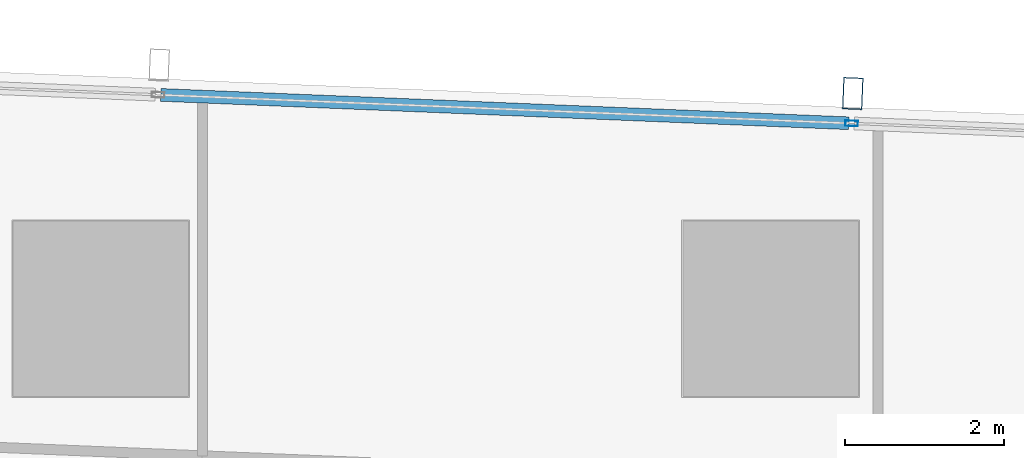
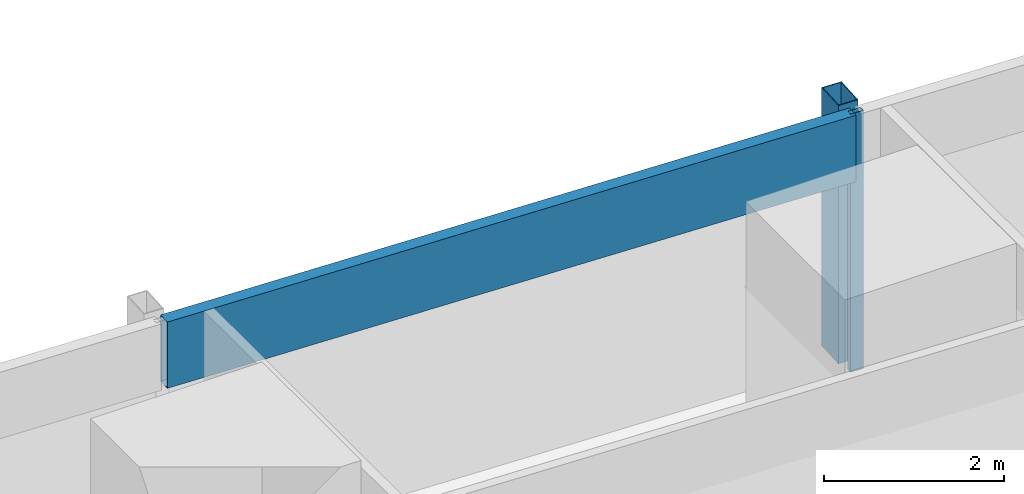
# One storey, part 22 of 45: 3 members, 1 element without a shape of its own.
"""IFC4 building model written with IfcOpenShell, lengths in metres."""

import ifcopenshell
import ifcopenshell.guid

model = None  # the IFC model being written
_history = None  # IfcOwnerHistory: only IFC2X3 demands one
_inside = {}  # id of a spatial element -> (the spatial element, [elements in it])
_under = {}  # id of a project, library or spatial element -> (it, [spatial elements below it])
_declared = {}  # id of a project -> (the project, [libraries it declares])
_typed = {}  # id of a type object -> (the type object, [elements of that type])
_made_of = {}  # id of a material, layer set ... -> (it, [elements and type objects made of it])


def new_model(schema):
    """Start an empty IFC model of exactly this schema.

    Asked for "IFC4X3", IfcOpenShell would pick the latest addendum, in which some entities
    have other attributes; the version numbers below select the first issue.
    IFC2X3 requires an IfcOwnerHistory on every rooted entity: one is made here for all.
    """
    global model, _history
    if schema == "IFC4X3":
        model = ifcopenshell.file(schema_version=(4, 3, 0, 0))
    else:
        model = ifcopenshell.file(schema=schema)
    _inside.clear()
    _under.clear()
    _declared.clear()
    _typed.clear()
    _made_of.clear()
    _history = None
    if model.schema == "IFC2X3":
        org = make("IfcOrganization", Name="unknown")
        user = make(
            "IfcPersonAndOrganization",
            ThePerson=make("IfcPerson", FamilyName="unknown"),
            TheOrganization=org,
        )
        app = make(
            "IfcApplication",
            ApplicationDeveloper=org,
            Version="unknown",
            ApplicationFullName="unknown",
            ApplicationIdentifier="unknown",
        )
        _history = make(
            "IfcOwnerHistory",
            OwningUser=user,
            OwningApplication=app,
            ChangeAction="ADDED",
            CreationDate=0,
        )
    return model


def make(cls, **values):
    """One entity of the class cls with the attributes given. An attribute that is None is left unset."""
    return model.create_entity(
        cls, **{name: value for name, value in values.items() if value is not None}
    )


def rooted(cls, **values):
    """An entity with a GlobalId (a new one), such as an element, a storey or a relation."""
    return make(cls, GlobalId=ifcopenshell.guid.new(), OwnerHistory=_history, **values)


def si_unit(unit_type, name, prefix=None):
    """IfcSIUnit, for example si_unit("LENGTHUNIT", "METRE", prefix="MILLI")."""
    return make("IfcSIUnit", UnitType=unit_type, Prefix=prefix, Name=name)


def assignment(units):
    """IfcUnitAssignment: the units of a project."""
    return None if units is None else make("IfcUnitAssignment", Units=units)


def point(xyz):
    """IfcCartesianPoint."""
    return None if xyz is None else make("IfcCartesianPoint", Coordinates=xyz)


def direction(xyz):
    """IfcDirection."""
    return None if xyz is None else make("IfcDirection", DirectionRatios=xyz)


def frame(location, z_axis=None, x_axis=None):
    """IfcAxis2Placement3D, a coordinate frame: its origin and axes. An axis left out is left unset."""
    return make(
        "IfcAxis2Placement3D",
        Location=point(location),
        Axis=direction(z_axis),
        RefDirection=direction(x_axis),
    )


def frame_2d(location, x_axis=None):
    """IfcAxis2Placement2D, a coordinate frame in the plane: its origin and x axis."""
    return make(
        "IfcAxis2Placement2D", Location=point(location), RefDirection=direction(x_axis)
    )


def origin():
    """The frame at (0, 0, 0) with its axes left unset."""
    return frame((0.0, 0.0, 0.0))


def origin_2d():
    """The frame at (0, 0) in the plane with its x axis left unset."""
    return frame_2d((0.0, 0.0))


def place(relative_to, where):
    """IfcLocalPlacement: puts the frame where relative to a parent placement (None: the world)."""
    return make(
        "IfcLocalPlacement", PlacementRelTo=relative_to, RelativePlacement=where
    )


def context(
    kind, dimensions, precision=None, world=None, true_north=None, identifier=None
):
    """IfcGeometricRepresentationContext, for example the 3D "Model" context."""
    return make(
        "IfcGeometricRepresentationContext",
        ContextIdentifier=identifier,
        ContextType=kind,
        CoordinateSpaceDimension=dimensions,
        Precision=precision,
        WorldCoordinateSystem=world,
        TrueNorth=true_north,
    )


def subcontext(parent, identifier, kind, view, scale=None):
    """IfcGeometricRepresentationSubContext, for example "Body" below "Model"."""
    return make(
        "IfcGeometricRepresentationSubContext",
        ContextIdentifier=identifier,
        ContextType=kind,
        ParentContext=parent,
        TargetScale=scale,
        TargetView=view,
    )


def project(units=None, contexts=None):
    """IfcProject with its units and contexts."""
    return rooted(
        "IfcProject",
        Name="project",
        RepresentationContexts=contexts,
        UnitsInContext=assignment(units),
    )


def spatial(cls, under=None, at=None, **own):
    """A site, building, storey or space (cls), placed at a placement, below another one or the project."""
    s = rooted(cls, ObjectPlacement=at, **own)
    if under is not None:
        _under.setdefault(under.id(), (under, []))[1].append(s)
    return s


def profile(cls, at=None, kind="AREA", **sizes):
    """A parametric profile (cls). Its sizes go by their IFC names, for example OverallWidth=200.0."""
    return make(cls, ProfileType=kind, Position=at, **sizes)


def hollow_rectangle(**sizes):
    """IfcRectangleHollowProfileDef."""
    return profile("IfcRectangleHollowProfileDef", **sizes)


def extrude(swept, where, along, depth):
    """IfcExtrudedAreaSolid: the profile swept, set in the frame where, extruded along a direction by depth."""
    return make(
        "IfcExtrudedAreaSolid",
        SweptArea=swept,
        Position=where,
        ExtrudedDirection=direction(along),
        Depth=depth,
    )


def shape(context_of_items, identifier, shape_type, items):
    """IfcShapeRepresentation: the items that make up one representation, for example the "Body"."""
    return make(
        "IfcShapeRepresentation",
        ContextOfItems=context_of_items,
        RepresentationIdentifier=identifier,
        RepresentationType=shape_type,
        Items=items,
    )


def material(Name=None, Category=None):
    """IfcMaterial."""
    return make("IfcMaterial", Name=Name, Category=Category)


def material_profile(
    of_material, cross_section, Name=None, Category=None, Priority=None
):
    """IfcMaterialProfile: a cross section and its material."""
    return make(
        "IfcMaterialProfile",
        Name=Name,
        Material=of_material,
        Profile=cross_section,
        Priority=Priority,
        Category=Category,
    )


def profile_set(profiles, Name=None, composite=None):
    """IfcMaterialProfileSet."""
    return make(
        "IfcMaterialProfileSet",
        Name=Name,
        MaterialProfiles=profiles,
        CompositeProfile=composite,
    )


def made_of(thing, what):
    """Note that an element or type object is made of a material, layer set ...; save() writes the relation."""
    if what is not None:
        _made_of.setdefault(what.id(), (what, []))[1].append(thing)
    return thing


def type_object(cls, material=None, **own):
    """A type object (cls), such as IfcWallType, which elements share."""
    return made_of(rooted(cls, **own), material)


def element(
    cls,
    number,
    at=None,
    inside=None,
    cuts=None,
    type_object=None,
    material=None,
    context=None,
    identifier="Body",
    shape_type=None,
    held_by="IfcProductDefinitionShape",
    body=None,
    shapes=None,
    **own,
):
    """One element of the class cls, such as IfcWall. Its Tag is "e" and its number.

    at: its placement. inside: the storey or other place that contains it. cuts: it is an
    opening in that element (IfcRelVoidsElement). A single representation is given by context,
    identifier, shape_type and body (its items); several are given by shapes. held_by: the class
    of the entity that holds the representations. save() writes the other relations.
    """
    e = rooted(cls, Tag="e%d" % number, ObjectPlacement=at, **own)
    if body is not None:
        shapes = [shape(context, identifier, shape_type, body)]
    if shapes is not None:
        e.Representation = make(held_by, Representations=shapes)
    if inside is not None:
        _inside.setdefault(inside.id(), (inside, []))[1].append(e)
    if cuts is not None:
        rooted(
            "IfcRelVoidsElement", RelatingBuildingElement=cuts, RelatedOpeningElement=e
        )
    if type_object is not None:
        _typed.setdefault(type_object.id(), (type_object, []))[1].append(e)
    return made_of(e, material)


def aggregate(whole, parts):
    """IfcRelAggregates: a whole, such as a stair, and the parts it consists of."""
    return rooted("IfcRelAggregates", RelatingObject=whole, RelatedObjects=parts)


def save(model, path):
    """Write the relations noted so far, then the file.

    IfcRelAggregates (storeys below a building ...), IfcRelContainedInSpatialStructure (elements
    in a storey), IfcRelDefinesByType, IfcRelAssociatesMaterial and IfcRelDeclares: one each for
    every whole, place, type object, material and project.
    """
    for whole, parts in _under.values():
        aggregate(whole, parts)
    for where, things in _inside.values():
        rooted(
            "IfcRelContainedInSpatialStructure",
            RelatedElements=things,
            RelatingStructure=where,
        )
    for kind, things in _typed.values():
        rooted("IfcRelDefinesByType", RelatedObjects=things, RelatingType=kind)
    for what, things in _made_of.values():
        rooted("IfcRelAssociatesMaterial", RelatedObjects=things, RelatingMaterial=what)
    for by, libraries in _declared.values():
        rooted("IfcRelDeclares", RelatingContext=by, RelatedDefinitions=libraries)
    model.write(path)


model = new_model("IFC4")

# Units and contexts
model_context = context("Model", 3, precision=1e-05, world=origin(), true_north=direction((0.0, 1.0)))
body_context = subcontext(model_context, "Body", "Model", "MODEL_VIEW")
ifc_project = project(units=[si_unit("LENGTHUNIT", "METRE"), si_unit("AREAUNIT", "SQUARE_METRE"), si_unit("VOLUMEUNIT", "CUBIC_METRE"), si_unit("PLANEANGLEUNIT", "RADIAN"), si_unit("MASSUNIT", "GRAM", prefix="KILO")], contexts=[model_context])

# Site, building, storey
site_placement = place(None, origin())
site = spatial("IfcSite", under=ifc_project, at=site_placement, CompositionType="ELEMENT")
building_placement = place(site_placement, origin())
building = spatial("IfcBuilding", under=site, at=building_placement, Name="Rekha Terrace Tower", CompositionType="ELEMENT")
storey_placement = place(building_placement, frame((0.0, 0.0, 36.64990234375)))
storey = spatial("IfcBuildingStorey", under=building, at=storey_placement, Name="L08", CompositionType="ELEMENT", Elevation=36.64990234375)

# Curtain wall, members
ifc_material_1 = material(Name="Aluminium framing", Category="aluminium")
curtain_wall_type = type_object("IfcCurtainWallType", Name="CW3 north unitised glazing", PredefinedType="USERDEFINED", material=ifc_material_1)
curtain_wall_placement = place(storey_placement, origin())
curtain_wall = element("IfcCurtainWall", 1, at=curtain_wall_placement, inside=storey, type_object=curtain_wall_type, Name="CW3 unitised curtain wall", ObjectType="UNITISED CURTAIN WALL", PredefinedType="USERDEFINED")
ifc_material_2 = material(Name="Steel S355 with fluorocarbon finish", Category="steel")
ifc_material_profile_1 = material_profile(ifc_material_2, hollow_rectangle(XDim=0.25, YDim=0.39990234375, WallThickness=0.012451171875, at=origin_2d()), Name="RHS400x250x12.5")
ifc_profile_set_1 = profile_set([ifc_material_profile_1], Name="Steel S355 with fluorocarbon finish")
member_type_1 = type_object("IfcMemberType", Name="BL1 facade blade RHS 400 x 250", PredefinedType="USERDEFINED", material=ifc_profile_set_1)
member_1_placement = place(storey_placement, frame((51.430419921875, 61.499267578125, 0.0), z_axis=(0.0, 0.0, 1.0), x_axis=(-0.99915196507, 0.041174636562, 0.0)))
member_1 = element("IfcMember", 2, at=member_1_placement, type_object=member_type_1, Name="Facade blade", ObjectType="FACADE BLADE", PredefinedType="USERDEFINED", context=body_context, shape_type="SweptSolid", body=[
    extrude(hollow_rectangle(XDim=0.25, YDim=0.39990234375, WallThickness=0.012451171875, at=origin_2d()), origin(), (0.0, 0.0, 1.0), 3.5),
])
ifc_material_3 = material(Name="Aluminium mullion section", Category="aluminium")
ifc_material_profile_2 = material_profile(ifc_material_3, hollow_rectangle(XDim=0.070068359375, YDim=0.159912109375, WallThickness=0.00390625, at=origin_2d()), Name="AL RHS 70x160")
ifc_profile_set_2 = profile_set([ifc_material_profile_2], Name="Aluminium mullion section")
member_type_2 = type_object("IfcMemberType", Name="CW3 mullion RHS 70 x 160", PredefinedType="MULLION", material=ifc_profile_set_2)
member_2_placement = place(storey_placement, frame((51.4150390625, 61.12451171875, 0.0), z_axis=(0.0, 0.0, 1.0), x_axis=(-0.041173846041, -0.999151997647, 0.0)))
member_2 = element("IfcMember", 3, at=member_2_placement, type_object=member_type_2, Name="CW3 mullion 3", PredefinedType="MULLION", context=body_context, shape_type="SweptSolid", body=[
    extrude(hollow_rectangle(XDim=0.070068359375, YDim=0.159912109375, WallThickness=0.00390625, at=origin_2d()), origin(), (0.0, 0.0, 1.0), 3.5),
])
ifc_material_4 = material(Name="Insulated aluminium spandrel box", Category="aluminium")
ifc_material_profile_3 = material_profile(ifc_material_4, hollow_rectangle(XDim=0.159912109375, YDim=0.89990234375, WallThickness=0.0029296875, at=origin_2d()), Name="AL SPANDREL BOX 160x900")
ifc_profile_set_3 = profile_set([ifc_material_profile_3], Name="Insulated aluminium spandrel box")
member_type_3 = type_object("IfcMemberType", Name="CW3 spandrel transom 160 x 900", PredefinedType="USERDEFINED", material=ifc_profile_set_3)
member_3_placement = place(storey_placement, frame((51.380126953125, 61.1259765625, 3.050048828125), z_axis=(-0.999152128669, 0.041170666459, 0.0), x_axis=(-0.041170666459, -0.999152128669, 0.0)))
member_3 = element("IfcMember", 4, at=member_3_placement, type_object=member_type_3, Name="CW3 spandrel transom 3", ObjectType="TRANSOM", PredefinedType="USERDEFINED", context=body_context, shape_type="SweptSolid", body=[
    extrude(hollow_rectangle(XDim=0.159912109375, YDim=0.89990234375, WallThickness=0.0029296875, at=origin_2d()), origin(), (0.0, 0.0, 1.0), 8.634033203125),
])
aggregate(curtain_wall, [member_2, member_3, member_1])

save(model, "model.ifc")
